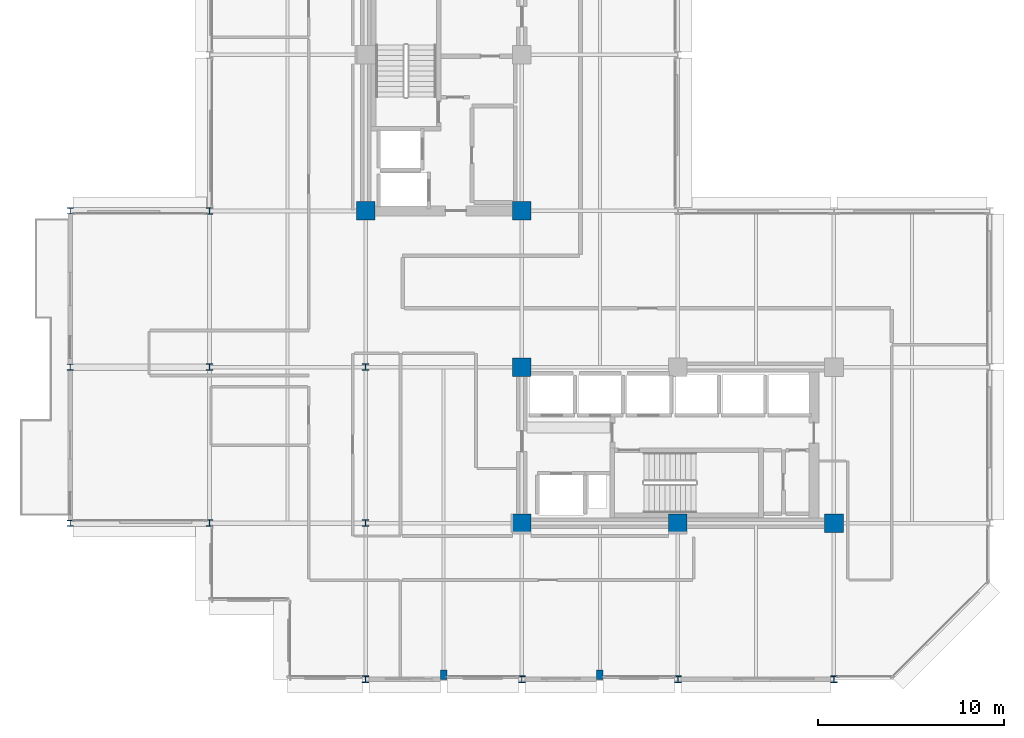
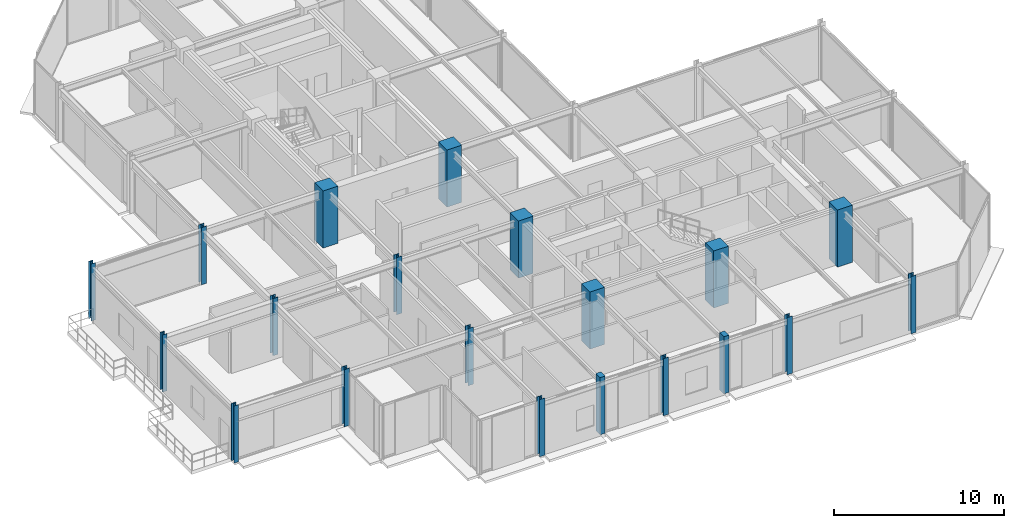
# One storey, part 1 of 29: 20 columns.
"""IFC4 building model written with IfcOpenShell, lengths in metres."""

from ifc_helpers import new_model, si_unit, direction, frame, origin, origin_2d, place, context, subcontext, project, spatial, rectangle, i_section, extrude, material, material_profile, profile_set, type_object, element, save


model = new_model("IFC4")

# Units and contexts
model_context = context("Model", 3, precision=1e-05, world=origin(), true_north=direction((0.0, 1.0)))
body_context = subcontext(model_context, "Body", "Model", "MODEL_VIEW")
ifc_project = project(units=[si_unit("LENGTHUNIT", "METRE"), si_unit("AREAUNIT", "SQUARE_METRE"), si_unit("VOLUMEUNIT", "CUBIC_METRE"), si_unit("PLANEANGLEUNIT", "RADIAN"), si_unit("MASSUNIT", "GRAM", prefix="KILO")], contexts=[model_context])

# Site, building, storey
site_placement = place(None, origin())
site = spatial("IfcSite", under=ifc_project, at=site_placement, CompositionType="ELEMENT")
building_placement = place(site_placement, origin())
building = spatial("IfcBuilding", under=site, at=building_placement, Name="Nerrivon Quay Data Exchange", CompositionType="ELEMENT")
storey_placement = place(building_placement, frame((0.0, 0.0, 179.60009765625)))
storey = spatial("IfcBuildingStorey", under=building, at=storey_placement, Name="L42", CompositionType="ELEMENT", Elevation=179.60009765625)

# Columns
ifc_material_1 = material(Name="Concrete S65 (65 MPa)", Category="concrete")
ifc_material_profile_1 = material_profile(ifc_material_1, rectangle(XDim=1.0, YDim=1.0, at=origin_2d()), Name="RC-COL-1000x1000")
ifc_profile_set_1 = profile_set([ifc_material_profile_1], Name="Concrete S65 (65 MPa)")
column_type_1 = type_object("IfcColumnType", Name="COL-C4-1000", PredefinedType="COLUMN", material=ifc_profile_set_1)
for number, where, z_axis, x_axis, name in (
    (1, (8.39990234375, 25.199951171875, 0.0), (0.0, 0.0, 1.0), (1.0, 0.0, 0.0), "L42 Column (8.4,25.2)"),
    (2, (16.800048828125, 8.39990234375, 0.0), (0.0, 0.0, 1.0), (1.0, 0.0, 0.0), "L42 Column (16.8,8.4)"),
    (3, (16.800048828125, 16.800048828125, 0.0), (0.0, 0.0, 1.0), (1.0, 0.0, 0.0), "L42 Column (16.8,16.8)"),
    (4, (16.800048828125, 25.199951171875, 0.0), (0.0, 0.0, 1.0), (1.0, 0.0, 0.0), "L42 Column (16.8,25.2)"),
    (5, (25.199951171875, 8.39990234375, 0.0), (0.0, 0.0, 1.0), (1.0, 0.0, 0.0), "L42 Column (25.2,8.4)"),
    (6, (33.60009765625, 8.39990234375, 0.0), (0.0, 0.0, 1.0), (1.0, 0.0, 0.0), "L42 Column (33.6,8.4)"),
):
    element("IfcColumn", number, at=place(storey_placement, frame(where, z_axis=z_axis, x_axis=x_axis)), inside=storey, type_object=column_type_1, Name=name, PredefinedType="COLUMN", context=body_context, shape_type="SweptSolid", body=[
        extrude(rectangle(XDim=1.0, YDim=1.0, at=origin_2d()), origin(), (0.0, 0.0, 1.0), 4.099853515625),
    ])
ifc_material_2 = material(Name="Steel Grade 350", Category="steel")
ifc_material_profile_2 = material_profile(ifc_material_2, i_section(OverallWidth=0.35009765625, OverallDepth=0.35009765625, WebThickness=0.02001953125, FlangeThickness=0.031982421875, at=origin_2d()), Name="350WC230")
ifc_profile_set_2 = profile_set([ifc_material_profile_2], Name="Steel Grade 350")
column_type_2 = type_object("IfcColumnType", Name="COL-SC3-350WC", PredefinedType="COLUMN", material=ifc_profile_set_2)
for number, where, z_axis, x_axis, name in (
    (7, (0.0, 8.39990234375, 0.0), (0.0, 0.0, 1.0), (1.0, 0.0, 0.0), "L42 Column (0.0,8.4)"),
    (8, (0.0, 16.800048828125, 0.0), (0.0, 0.0, 1.0), (1.0, 0.0, 0.0), "L42 Column (0.0,16.8)"),
    (9, (0.0, 25.199951171875, 0.0), (0.0, 0.0, 1.0), (1.0, 0.0, 0.0), "L42 Column (0.0,25.2)"),
    (10, (8.39990234375, 0.0, 0.0), (0.0, 0.0, 1.0), (1.0, 0.0, 0.0), "L42 Column (8.4,0.0)"),
    (11, (8.39990234375, 8.39990234375, 0.0), (0.0, 0.0, 1.0), (1.0, 0.0, 0.0), "L42 Column (8.4,8.4)"),
    (12, (8.39990234375, 16.800048828125, 0.0), (0.0, 0.0, 1.0), (1.0, 0.0, 0.0), "L42 Column (8.4,16.8)"),
    (13, (16.800048828125, 0.0, 0.0), (0.0, 0.0, 1.0), (1.0, 0.0, 0.0), "L42 Column (16.8,0.0)"),
    (14, (25.199951171875, 0.0, 0.0), (0.0, 0.0, 1.0), (1.0, 0.0, 0.0), "L42 Column (25.2,0.0)"),
    (15, (33.60009765625, 0.0, 0.0), (0.0, 0.0, 1.0), (1.0, 0.0, 0.0), "L42 Column (33.6,0.0)"),
):
    element("IfcColumn", number, at=place(storey_placement, frame(where, z_axis=z_axis, x_axis=x_axis)), inside=storey, type_object=column_type_2, Name=name, PredefinedType="COLUMN", context=body_context, shape_type="SweptSolid", body=[
        extrude(i_section(OverallWidth=0.35009765625, OverallDepth=0.35009765625, WebThickness=0.02001953125, FlangeThickness=0.031982421875, at=origin_2d()), origin(), (0.0, 0.0, 1.0), 4.099853515625),
    ])
ifc_material_profile_3 = material_profile(ifc_material_2, i_section(OverallWidth=0.31103515625, OverallDepth=0.326904296875, WebThickness=0.015625, FlangeThickness=0.02490234375, FilletRadius=0.0166015625, at=origin_2d()), Name="310UC158")
ifc_profile_set_3 = profile_set([ifc_material_profile_3], Name="Steel Grade 350")
column_type_3 = type_object("IfcColumnType", Name="COL-SC4-310UC158", PredefinedType="COLUMN", material=ifc_profile_set_3)
for number, where, z_axis, x_axis, name in (
    (16, (-7.5, 8.39990234375, 0.0), (0.0, 0.0, 1.0), (1.0, 0.0, 0.0), "L42 West Hooked Post (-7.5,8.4)"),
    (17, (-7.5, 16.800048828125, 0.0), (0.0, 0.0, 1.0), (1.0, 0.0, 0.0), "L42 West Hooked Post (-7.5,16.8)"),
    (18, (-7.5, 25.199951171875, 0.0), (0.0, 0.0, 1.0), (1.0, 0.0, 0.0), "L42 West Hooked Post (-7.5,25.2)"),
):
    element("IfcColumn", number, at=place(storey_placement, frame(where, z_axis=z_axis, x_axis=x_axis)), inside=storey, type_object=column_type_3, Name=name, PredefinedType="COLUMN", context=body_context, shape_type="SweptSolid", body=[
        extrude(i_section(OverallWidth=0.31103515625, OverallDepth=0.326904296875, WebThickness=0.015625, FlangeThickness=0.02490234375, FilletRadius=0.0166015625, at=origin_2d()), origin(), (0.0, 0.0, 1.0), 4.099853515625),
    ])
ifc_material_3 = material(Name="Concrete N50 (50 MPa)", Category="concrete")
ifc_material_profile_4 = material_profile(ifc_material_3, rectangle(XDim=0.35009765625, YDim=0.5, at=origin_2d()), Name="RC-PIL-500x350")
ifc_profile_set_4 = profile_set([ifc_material_profile_4], Name="Concrete N50 (50 MPa)")
column_type_4 = type_object("IfcColumnType", Name="PIL-P2-500x350", PredefinedType="PILASTER", material=ifc_profile_set_4)
for number, where, z_axis, x_axis, name in (
    (19, (12.60009765625, 0.25, 0.0), (0.0, 0.0, 1.0), (1.0, 0.0, 0.0), "L42 Facade Pilaster (12.6)"),
    (20, (21.0, 0.25, 0.0), (0.0, 0.0, 1.0), (1.0, 0.0, 0.0), "L42 Facade Pilaster (21.0)"),
):
    element("IfcColumn", number, at=place(storey_placement, frame(where, z_axis=z_axis, x_axis=x_axis)), inside=storey, type_object=column_type_4, Name=name, PredefinedType="PILASTER", context=body_context, shape_type="SweptSolid", body=[
        extrude(rectangle(XDim=0.35009765625, YDim=0.5, at=origin_2d()), origin(), (0.0, 0.0, 1.0), 4.099853515625),
    ])

save(model, "model.ifc")
